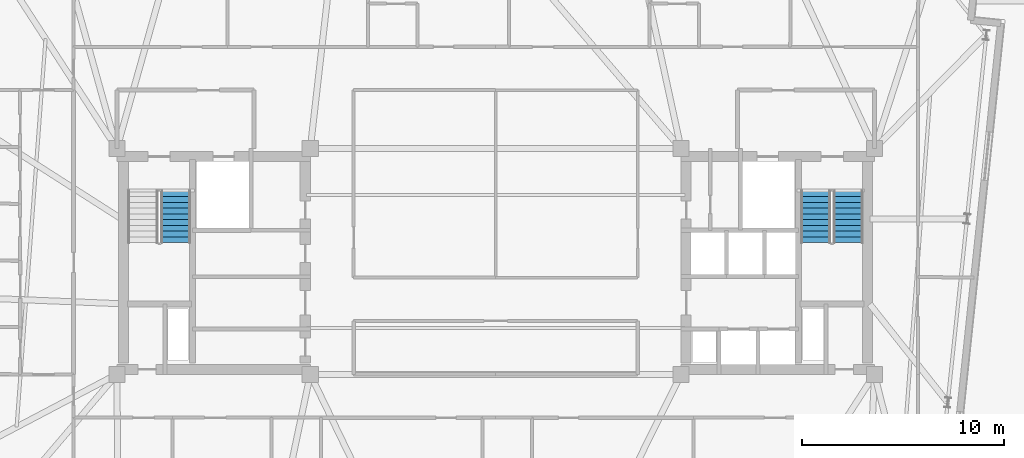
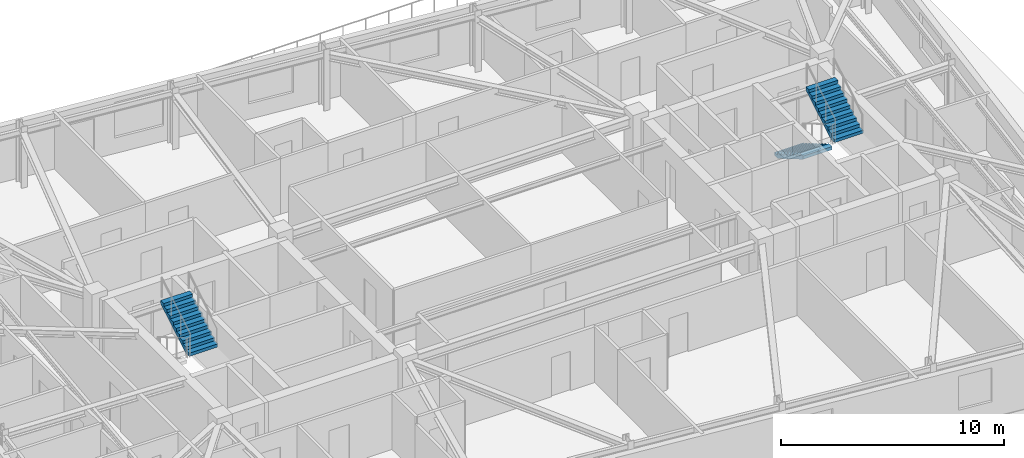
# One storey, part 10 of 13: 3 stair flights, 2 elements without a shape of their own.
"""IFC4 building model written with IfcOpenShell, lengths in metres."""

from ifc_helpers import new_model, si_unit, direction, frame, origin, place, context, subcontext, project, spatial, polyline, outline, extrude, material, type_object, element, aggregate, save


model = new_model("IFC4")

# Units and contexts
model_context = context("Model", 3, precision=1e-05, world=origin(), true_north=direction((0.0, 1.0)))
body_context = subcontext(model_context, "Body", "Model", "MODEL_VIEW")
ifc_project = project(units=[si_unit("LENGTHUNIT", "METRE"), si_unit("AREAUNIT", "SQUARE_METRE"), si_unit("VOLUMEUNIT", "CUBIC_METRE"), si_unit("PLANEANGLEUNIT", "RADIAN"), si_unit("MASSUNIT", "GRAM", prefix="KILO")], contexts=[model_context])

# Site, building, storey
site_placement = place(None, origin())
site = spatial("IfcSite", under=ifc_project, at=site_placement, CompositionType="ELEMENT")
building_placement = place(site_placement, origin())
building = spatial("IfcBuilding", under=site, at=building_placement, Name="Qobustan Lattice House", CompositionType="ELEMENT")
storey_placement = place(building_placement, frame((0.0, 0.0, 179.64990234375)))
storey = spatial("IfcBuildingStorey", under=building, at=storey_placement, Name="L50", CompositionType="ELEMENT", Elevation=179.64990234375)

# Stair, stair flight
ifc_material_1 = material(Name="Concrete C40/50", Category="concrete")
stair_type = type_object("IfcStairType", Name="STR-CORE-DOGLEG", PredefinedType="HALF_TURN_STAIR", material=ifc_material_1)
stair_1_placement = place(storey_placement, origin())
stair_1 = element("IfcStair", 1, at=stair_1_placement, inside=storey, type_object=stair_type, Name="L50 West protected exit stair ST-W1", PredefinedType="HALF_TURN_STAIR")
ifc_material_2 = material(Name="Concrete C40/50", Category="concrete")
stair_flight_type = type_object("IfcStairFlightType", Name="SFL-RC-1500", PredefinedType="STRAIGHT", material=ifc_material_2)
stair_flight_1_placement = place(storey_placement, frame((-15.8798828125, 0.93505859375, 1.675048828125), z_axis=(0.0, 0.0, 1.0), x_axis=(0.0, 1.0, 0.0)))
stair_flight_1 = element("IfcStairFlight", 2, at=stair_flight_1_placement, type_object=stair_flight_type, Name="ST-W1 flight 2", NumberOfRisers=10, NumberOfTreads=9, PredefinedType="STRAIGHT", RiserHeight=0.1675, TreadLength=0.285, context=body_context, shape_type="SweptSolid", body=[
    extrude(outline(polyline([(0.0, 0.0), (0.0, 0.16748046875), (0.284912109375, 0.16748046875), (0.284912109375, 0.3349609375), (0.570068359375, 0.3349609375), (0.570068359375, 0.50244140625), (0.85498046875, 0.50244140625), (0.85498046875, 0.669921875), (1.139892578125, 0.669921875), (1.139892578125, 0.83740234375), (1.425048828125, 0.83740234375), (1.425048828125, 1.0048828125), (1.7099609375, 1.0048828125), (1.7099609375, 1.172607421875), (1.9951171875, 1.172607421875), (1.9951171875, 1.340087890625), (2.280029296875, 1.340087890625), (2.280029296875, 1.507568359375), (2.56494140625, 1.507568359375), (2.56494140625, 1.675048828125), (2.56494140625, 1.333740234375), (0.2958984375, 0.0), (0.0, 0.0)])), frame((0.0, 0.75, 0.0), z_axis=(0.0, -1.0, 0.0), x_axis=(1.0, 0.0, 0.0)), (0.0, 0.0, 1.0), 1.5),
])
aggregate(stair_1, [stair_flight_1])

# Stair, stair flights
stair_2_placement = place(storey_placement, origin())
stair_2 = element("IfcStair", 3, at=stair_2_placement, inside=storey, type_object=stair_type, Name="L50 East protected exit stair ST-E1", PredefinedType="HALF_TURN_STAIR")
stair_flight_2_placement = place(storey_placement, frame((15.8798828125, 3.5, 0.0), z_axis=(0.0, 0.0, 1.0), x_axis=(0.0, -1.0, 0.0)))
stair_flight_2 = element("IfcStairFlight", 4, at=stair_flight_2_placement, type_object=stair_flight_type, Name="ST-E1 flight 1", NumberOfRisers=10, NumberOfTreads=9, PredefinedType="STRAIGHT", RiserHeight=0.1675, TreadLength=0.285, context=body_context, shape_type="SweptSolid", body=[
    extrude(outline(polyline([(0.0, 0.0), (0.0, 0.16748046875), (0.284912109375, 0.16748046875), (0.284912109375, 0.3349609375), (0.570068359375, 0.3349609375), (0.570068359375, 0.50244140625), (0.85498046875, 0.50244140625), (0.85498046875, 0.669921875), (1.139892578125, 0.669921875), (1.139892578125, 0.83740234375), (1.425048828125, 0.83740234375), (1.425048828125, 1.0048828125), (1.7099609375, 1.0048828125), (1.7099609375, 1.172607421875), (1.9951171875, 1.172607421875), (1.9951171875, 1.340087890625), (2.280029296875, 1.340087890625), (2.280029296875, 1.507568359375), (2.56494140625, 1.507568359375), (2.56494140625, 1.675048828125), (2.56494140625, 1.333740234375), (0.2958984375, 0.0), (0.0, 0.0)])), frame((0.0, 0.75, 0.0), z_axis=(0.0, -1.0, 0.0), x_axis=(1.0, 0.0, 0.0)), (0.0, 0.0, 1.0), 1.5),
])
stair_flight_3_placement = place(storey_placement, frame((17.5, 0.93505859375, 1.675048828125), z_axis=(0.0, 0.0, 1.0), x_axis=(0.0, 1.0, 0.0)))
stair_flight_3 = element("IfcStairFlight", 5, at=stair_flight_3_placement, type_object=stair_flight_type, Name="ST-E1 flight 2", NumberOfRisers=10, NumberOfTreads=9, PredefinedType="STRAIGHT", RiserHeight=0.1675, TreadLength=0.285, context=body_context, shape_type="SweptSolid", body=[
    extrude(outline(polyline([(0.0, 0.0), (0.0, 0.16748046875), (0.284912109375, 0.16748046875), (0.284912109375, 0.3349609375), (0.570068359375, 0.3349609375), (0.570068359375, 0.50244140625), (0.85498046875, 0.50244140625), (0.85498046875, 0.669921875), (1.139892578125, 0.669921875), (1.139892578125, 0.83740234375), (1.425048828125, 0.83740234375), (1.425048828125, 1.0048828125), (1.7099609375, 1.0048828125), (1.7099609375, 1.172607421875), (1.9951171875, 1.172607421875), (1.9951171875, 1.340087890625), (2.280029296875, 1.340087890625), (2.280029296875, 1.507568359375), (2.56494140625, 1.507568359375), (2.56494140625, 1.675048828125), (2.56494140625, 1.333740234375), (0.2958984375, 0.0), (0.0, 0.0)])), frame((0.0, 0.75, 0.0), z_axis=(0.0, -1.0, 0.0), x_axis=(1.0, 0.0, 0.0)), (0.0, 0.0, 1.0), 1.5),
])
aggregate(stair_2, [stair_flight_2, stair_flight_3])

save(model, "model.ifc")
